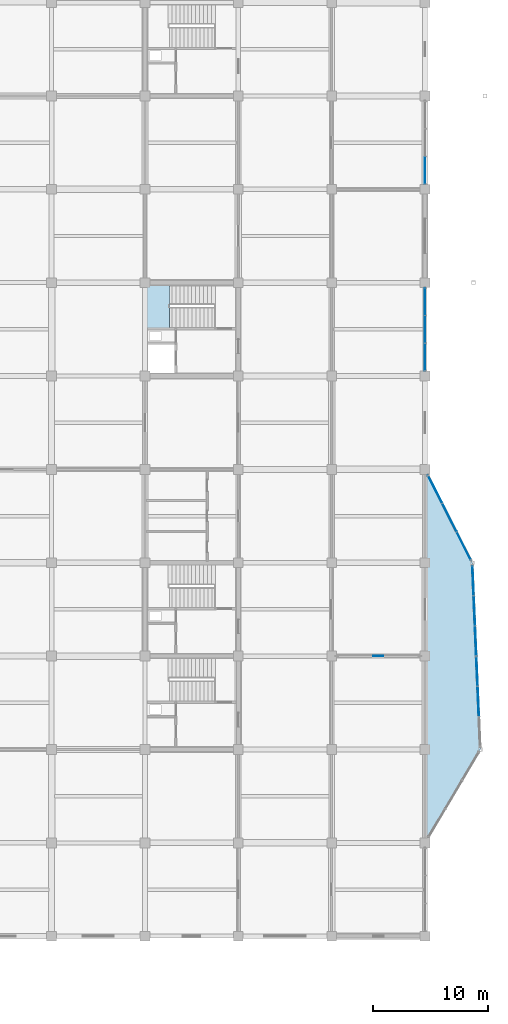
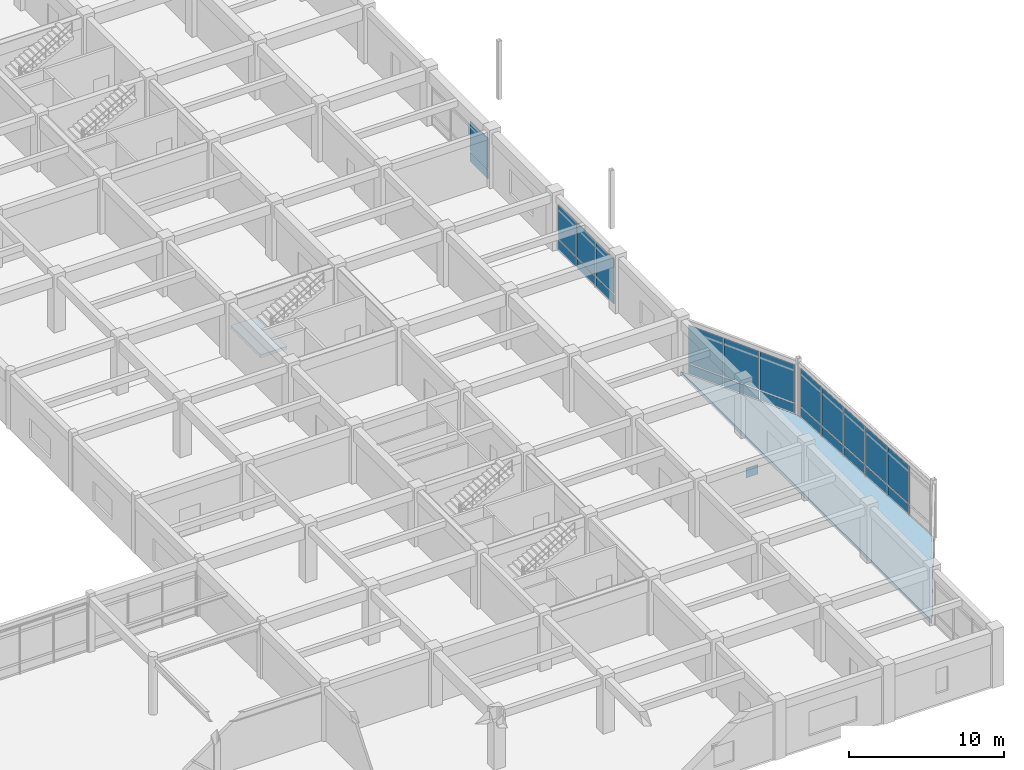
# One storey, part 55 of 93: 25 plates, 2 slabs, 6 elements without a shape of their own.
"""IFC4 building model written with IfcOpenShell, lengths in metres."""

from ifc_helpers import new_model, si_unit, direction, frame, origin, origin_2d, place, context, subcontext, project, spatial, polyline, rectangle, outline, extrude, material, layer, layer_set, type_object, element, aggregate, save


model = new_model("IFC4")

# Units and contexts
model_context = context("Model", 3, precision=1e-05, world=origin(), true_north=direction((0.0, 1.0)))
body_context = subcontext(model_context, "Body", "Model", "MODEL_VIEW")
ifc_project = project(units=[si_unit("LENGTHUNIT", "METRE"), si_unit("AREAUNIT", "SQUARE_METRE"), si_unit("VOLUMEUNIT", "CUBIC_METRE"), si_unit("PLANEANGLEUNIT", "RADIAN"), si_unit("MASSUNIT", "GRAM", prefix="KILO")], contexts=[model_context])

# Site, building, storey
site_placement = place(None, origin())
site = spatial("IfcSite", under=ifc_project, at=site_placement, CompositionType="ELEMENT")
building_placement = place(site_placement, origin())
building = spatial("IfcBuilding", under=site, at=building_placement, Name="Vaudrelin Polytechnic", CompositionType="ELEMENT")
storey_placement = place(building_placement, frame((0.0, 0.0, 5.10009765625)))
storey = spatial("IfcBuildingStorey", under=building, at=storey_placement, Name="L01", CompositionType="ELEMENT", Elevation=5.10009765625)

# Curtain wall, plates
ifc_material_1 = material(Name="Thermally broken anodised aluminium AA 6063-T6 and low-e triple glazing", Category="aluminium")
ifc_layer_1 = layer(ifc_material_1, 0.199951171875)
ifc_layer_set_1 = layer_set([ifc_layer_1], Name="Thermally broken anodised aluminium AA 6063-T6 and low-e triple glazing")
curtain_wall_type = type_object("IfcCurtainWallType", Name="CW-CW-LAB", PredefinedType="USERDEFINED", material=ifc_layer_set_1)
curtain_wall_1_placement = place(storey_placement, origin())
curtain_wall_1 = element("IfcCurtainWall", 1, at=curtain_wall_1_placement, inside=storey, type_object=curtain_wall_type, Name="Curtain wall L01 E_V4_06", ObjectType="CURTAIN WALL", PredefinedType="USERDEFINED")
ifc_material_2 = material(Name="Insulated ceramic-frit spandrel glass panel", Category="glass")
ifc_layer_2 = layer(ifc_material_2, 0.052001953125)
ifc_layer_set_2 = layer_set([ifc_layer_2], Name="Insulated ceramic-frit spandrel glass panel")
plate_type_1 = type_object("IfcPlateType", Name="PLT-GLZ-SPAND", PredefinedType="CURTAIN_PANEL", material=ifc_layer_set_2)
plate_1_placement = place(storey_placement, frame((170.10009765625, 66.431884765625, 0.08984375), z_axis=(0.0, 0.0, 1.0), x_axis=(0.0, 1.0, 0.0)))
plate_1 = element("IfcPlate", 2, at=plate_1_placement, type_object=plate_type_1, Name="E_V4_06 spandrel panel 1", PredefinedType="CURTAIN_PANEL", context=body_context, shape_type="SweptSolid", body=[
    extrude(rectangle(XDim=2.318115234375, YDim=0.052001953125, at=origin_2d()), origin(), (0.0, 0.0, 1.0), 0.699951171875),
])
plate_2_placement = place(storey_placement, frame((170.10009765625, 68.85009765625, 0.08984375), z_axis=(0.0, 0.0, 1.0), x_axis=(0.0, 1.0, 0.0)))
plate_2 = element("IfcPlate", 3, at=plate_2_placement, type_object=plate_type_1, Name="E_V4_06 spandrel panel 2", PredefinedType="CURTAIN_PANEL", context=body_context, shape_type="SweptSolid", body=[
    extrude(rectangle(XDim=2.318115234375, YDim=0.052001953125, at=origin_2d()), origin(), (0.0, 0.0, 1.0), 0.699951171875),
])
plate_3_placement = place(storey_placement, frame((170.10009765625, 71.26806640625, 0.08984375), z_axis=(0.0, 0.0, 1.0), x_axis=(0.0, 1.0, 0.0)))
plate_3 = element("IfcPlate", 4, at=plate_3_placement, type_object=plate_type_1, Name="E_V4_06 spandrel panel 3", PredefinedType="CURTAIN_PANEL", context=body_context, shape_type="SweptSolid", body=[
    extrude(rectangle(XDim=2.318115234375, YDim=0.052001953125, at=origin_2d()), origin(), (0.0, 0.0, 1.0), 0.699951171875),
])

# Curtain wall, plate
curtain_wall_2_placement = place(storey_placement, origin())
curtain_wall_2 = element("IfcCurtainWall", 5, at=curtain_wall_2_placement, inside=storey, type_object=curtain_wall_type, Name="Curtain wall L01 E_V4_08", ObjectType="CURTAIN WALL", PredefinedType="USERDEFINED")
plate_4_placement = place(storey_placement, frame((170.10009765625, 82.632080078125, 0.08984375), z_axis=(0.0, 0.0, 1.0), x_axis=(0.0, 1.0, 0.0)))
plate_4 = element("IfcPlate", 6, at=plate_4_placement, type_object=plate_type_1, Name="E_V4_08 spandrel panel 1", PredefinedType="CURTAIN_PANEL", context=body_context, shape_type="SweptSolid", body=[
    extrude(rectangle(XDim=2.318115234375, YDim=0.052001953125, at=origin_2d()), origin(), (0.0, 0.0, 1.0), 0.699951171875),
])

# Curtain wall, plates
curtain_wall_3_placement = place(storey_placement, origin())
curtain_wall_3 = element("IfcCurtainWall", 7, at=curtain_wall_3_placement, inside=storey, type_object=curtain_wall_type, Name="Curtain wall L01 E_OR1_2_0", ObjectType="CURTAIN WALL", PredefinedType="USERDEFINED")
plate_5_placement = place(storey_placement, frame((174.719970703125, 36.568603515625, 0.08984375), z_axis=(0.0, 0.0, 1.0), x_axis=(-0.043164270821, 0.99906798854, 0.0)))
plate_5 = element("IfcPlate", 8, at=plate_5_placement, type_object=plate_type_1, Name="E_OR1_2_0 spandrel panel 2", PredefinedType="CURTAIN_PANEL", context=body_context, shape_type="SweptSolid", body=[
    extrude(rectangle(XDim=2.523193359375, YDim=0.052001953125, at=origin_2d()), origin(), (0.0, 0.0, 1.0), 0.699951171875),
])
plate_6_placement = place(storey_placement, frame((174.606689453125, 39.189697265625, 0.08984375), z_axis=(0.0, 0.0, 1.0), x_axis=(-0.043164270821, 0.99906798854, 0.0)))
plate_6 = element("IfcPlate", 9, at=plate_6_placement, type_object=plate_type_1, Name="E_OR1_2_0 spandrel panel 3", PredefinedType="CURTAIN_PANEL", context=body_context, shape_type="SweptSolid", body=[
    extrude(rectangle(XDim=2.523193359375, YDim=0.052001953125, at=origin_2d()), origin(), (0.0, 0.0, 1.0), 0.699951171875),
])

curtain_wall_4_placement = place(storey_placement, origin())
curtain_wall_4 = element("IfcCurtainWall", 10, at=curtain_wall_4_placement, inside=storey, type_object=curtain_wall_type, Name="Curtain wall L01 E_OR1_2_1", ObjectType="CURTAIN WALL", PredefinedType="USERDEFINED")
plate_7_placement = place(storey_placement, frame((174.493408203125, 41.810302734375, 0.08984375), z_axis=(0.0, 0.0, 1.0), x_axis=(-0.043164270821, 0.99906798854, 0.0)))
plate_7 = element("IfcPlate", 11, at=plate_7_placement, type_object=plate_type_1, Name="E_OR1_2_1 spandrel panel 1", PredefinedType="CURTAIN_PANEL", context=body_context, shape_type="SweptSolid", body=[
    extrude(rectangle(XDim=2.523193359375, YDim=0.052001953125, at=origin_2d()), origin(), (0.0, 0.0, 1.0), 0.699951171875),
])
plate_8_placement = place(storey_placement, frame((174.380126953125, 44.431396484375, 0.08984375), z_axis=(0.0, 0.0, 1.0), x_axis=(-0.043164270821, 0.99906798854, 0.0)))
plate_8 = element("IfcPlate", 12, at=plate_8_placement, type_object=plate_type_1, Name="E_OR1_2_1 spandrel panel 2", PredefinedType="CURTAIN_PANEL", context=body_context, shape_type="SweptSolid", body=[
    extrude(rectangle(XDim=2.523193359375, YDim=0.052001953125, at=origin_2d()), origin(), (0.0, 0.0, 1.0), 0.699951171875),
])
plate_9_placement = place(storey_placement, frame((174.266845703125, 47.05224609375, 0.08984375), z_axis=(0.0, 0.0, 1.0), x_axis=(-0.043164270821, 0.99906798854, 0.0)))
plate_9 = element("IfcPlate", 13, at=plate_9_placement, type_object=plate_type_1, Name="E_OR1_2_1 spandrel panel 3", PredefinedType="CURTAIN_PANEL", context=body_context, shape_type="SweptSolid", body=[
    extrude(rectangle(XDim=2.523193359375, YDim=0.052001953125, at=origin_2d()), origin(), (0.0, 0.0, 1.0), 0.699951171875),
])

curtain_wall_5_placement = place(storey_placement, origin())
curtain_wall_5 = element("IfcCurtainWall", 14, at=curtain_wall_5_placement, inside=storey, type_object=curtain_wall_type, Name="Curtain wall L01 E_OR1_3_0", ObjectType="CURTAIN WALL", PredefinedType="USERDEFINED")
plate_10_placement = place(storey_placement, frame((173.462646484375, 50.056884765625, 0.08984375), z_axis=(0.0, 0.0, 1.0), x_axis=(-0.451609402839, 0.892215751524, 0.0)))
plate_10 = element("IfcPlate", 15, at=plate_10_placement, type_object=plate_type_1, Name="E_OR1_3_0 spandrel panel 1", PredefinedType="CURTAIN_PANEL", context=body_context, shape_type="SweptSolid", body=[
    extrude(rectangle(XDim=2.65380859375, YDim=0.052001953125, at=origin_2d()), origin(), (0.0, 0.0, 1.0), 0.699951171875),
])
plate_11_placement = place(storey_placement, frame((172.218994140625, 52.513916015625, 0.08984375), z_axis=(0.0, 0.0, 1.0), x_axis=(-0.451609402839, 0.892215751524, 0.0)))
plate_11 = element("IfcPlate", 16, at=plate_11_placement, type_object=plate_type_1, Name="E_OR1_3_0 spandrel panel 2", PredefinedType="CURTAIN_PANEL", context=body_context, shape_type="SweptSolid", body=[
    extrude(rectangle(XDim=2.65380859375, YDim=0.052001953125, at=origin_2d()), origin(), (0.0, 0.0, 1.0), 0.699951171875),
])
plate_12_placement = place(storey_placement, frame((170.975341796875, 54.970703125, 0.08984375), z_axis=(0.0, 0.0, 1.0), x_axis=(-0.451609402839, 0.892215751524, 0.0)))
plate_12 = element("IfcPlate", 17, at=plate_12_placement, type_object=plate_type_1, Name="E_OR1_3_0 spandrel panel 3", PredefinedType="CURTAIN_PANEL", context=body_context, shape_type="SweptSolid", body=[
    extrude(rectangle(XDim=2.65380859375, YDim=0.052001953125, at=origin_2d()), origin(), (0.0, 0.0, 1.0), 0.699951171875),
])

# Plate
ifc_material_3 = material(Name="Triple low-e argon insulated glazing unit", Category="glass")
ifc_layer_3 = layer(ifc_material_3, 0.0439453125)
ifc_layer_set_3 = layer_set([ifc_layer_3], Name="Triple low-e argon insulated glazing unit")
plate_type_2 = type_object("IfcPlateType", Name="PLT-GLZ-TRIPLE", PredefinedType="CURTAIN_PANEL", material=ifc_layer_set_3)
plate_13_placement = place(storey_placement, frame((170.10009765625, 66.431884765625, 0.89990234375), z_axis=(0.0, 0.0, 1.0), x_axis=(0.0, 1.0, 0.0)))
plate_13 = element("IfcPlate", 18, at=plate_13_placement, type_object=plate_type_2, Name="E_V4_06 vision panel 1", PredefinedType="CURTAIN_PANEL", context=body_context, shape_type="SweptSolid", body=[
    extrude(rectangle(XDim=2.318115234375, YDim=0.0439453125, at=origin_2d()), origin(), (0.0, 0.0, 1.0), 2.7119140625),
])

plate_14_placement = place(storey_placement, frame((170.10009765625, 68.85009765625, 0.89990234375), z_axis=(0.0, 0.0, 1.0), x_axis=(0.0, 1.0, 0.0)))
plate_14 = element("IfcPlate", 19, at=plate_14_placement, type_object=plate_type_2, Name="E_V4_06 vision panel 2", PredefinedType="CURTAIN_PANEL", context=body_context, shape_type="SweptSolid", body=[
    extrude(rectangle(XDim=2.318115234375, YDim=0.0439453125, at=origin_2d()), origin(), (0.0, 0.0, 1.0), 2.7119140625),
])

plate_15_placement = place(storey_placement, frame((170.10009765625, 71.26806640625, 0.89990234375), z_axis=(0.0, 0.0, 1.0), x_axis=(0.0, 1.0, 0.0)))
plate_15 = element("IfcPlate", 20, at=plate_15_placement, type_object=plate_type_2, Name="E_V4_06 vision panel 3", PredefinedType="CURTAIN_PANEL", context=body_context, shape_type="SweptSolid", body=[
    extrude(rectangle(XDim=2.318115234375, YDim=0.0439453125, at=origin_2d()), origin(), (0.0, 0.0, 1.0), 2.7119140625),
])

aggregate(curtain_wall_1, [plate_1, plate_13, plate_2, plate_14, plate_3, plate_15])

plate_16_placement = place(storey_placement, frame((170.10009765625, 82.632080078125, 0.89990234375), z_axis=(0.0, 0.0, 1.0), x_axis=(0.0, 1.0, 0.0)))
plate_16 = element("IfcPlate", 21, at=plate_16_placement, type_object=plate_type_2, Name="E_V4_08 vision panel 1", PredefinedType="CURTAIN_PANEL", context=body_context, shape_type="SweptSolid", body=[
    extrude(rectangle(XDim=2.318115234375, YDim=0.0439453125, at=origin_2d()), origin(), (0.0, 0.0, 1.0), 2.362060546875),
])

aggregate(curtain_wall_2, [plate_4, plate_16])

plate_17_placement = place(storey_placement, frame((174.719970703125, 36.568603515625, 0.89990234375), z_axis=(0.0, 0.0, 1.0), x_axis=(-0.043164270821, 0.99906798854, 0.0)))
plate_17 = element("IfcPlate", 22, at=plate_17_placement, type_object=plate_type_2, Name="E_OR1_2_0 vision panel 2", PredefinedType="CURTAIN_PANEL", context=body_context, shape_type="SweptSolid", body=[
    extrude(rectangle(XDim=2.523193359375, YDim=0.0439453125, at=origin_2d()), origin(), (0.0, 0.0, 1.0), 2.97998046875),
])

plate_18_placement = place(storey_placement, frame((174.606689453125, 39.189697265625, 0.89990234375), z_axis=(0.0, 0.0, 1.0), x_axis=(-0.043164270821, 0.99906798854, 0.0)))
plate_18 = element("IfcPlate", 23, at=plate_18_placement, type_object=plate_type_2, Name="E_OR1_2_0 vision panel 3", PredefinedType="CURTAIN_PANEL", context=body_context, shape_type="SweptSolid", body=[
    extrude(rectangle(XDim=2.523193359375, YDim=0.0439453125, at=origin_2d()), origin(), (0.0, 0.0, 1.0), 2.97998046875),
])

aggregate(curtain_wall_3, [plate_5, plate_17, plate_6, plate_18])

plate_19_placement = place(storey_placement, frame((174.493408203125, 41.810302734375, 0.89990234375), z_axis=(0.0, 0.0, 1.0), x_axis=(-0.043164270821, 0.99906798854, 0.0)))
plate_19 = element("IfcPlate", 24, at=plate_19_placement, type_object=plate_type_2, Name="E_OR1_2_1 vision panel 1", PredefinedType="CURTAIN_PANEL", context=body_context, shape_type="SweptSolid", body=[
    extrude(rectangle(XDim=2.523193359375, YDim=0.0439453125, at=origin_2d()), origin(), (0.0, 0.0, 1.0), 2.97998046875),
])

plate_20_placement = place(storey_placement, frame((174.380126953125, 44.431396484375, 0.89990234375), z_axis=(0.0, 0.0, 1.0), x_axis=(-0.043164270821, 0.99906798854, 0.0)))
plate_20 = element("IfcPlate", 25, at=plate_20_placement, type_object=plate_type_2, Name="E_OR1_2_1 vision panel 2", PredefinedType="CURTAIN_PANEL", context=body_context, shape_type="SweptSolid", body=[
    extrude(rectangle(XDim=2.523193359375, YDim=0.0439453125, at=origin_2d()), origin(), (0.0, 0.0, 1.0), 2.97998046875),
])

plate_21_placement = place(storey_placement, frame((174.266845703125, 47.05224609375, 0.89990234375), z_axis=(0.0, 0.0, 1.0), x_axis=(-0.043164270821, 0.99906798854, 0.0)))
plate_21 = element("IfcPlate", 26, at=plate_21_placement, type_object=plate_type_2, Name="E_OR1_2_1 vision panel 3", PredefinedType="CURTAIN_PANEL", context=body_context, shape_type="SweptSolid", body=[
    extrude(rectangle(XDim=2.523193359375, YDim=0.0439453125, at=origin_2d()), origin(), (0.0, 0.0, 1.0), 2.97998046875),
])

aggregate(curtain_wall_4, [plate_7, plate_19, plate_8, plate_20, plate_9, plate_21])

plate_22_placement = place(storey_placement, frame((173.462646484375, 50.056884765625, 0.89990234375), z_axis=(0.0, 0.0, 1.0), x_axis=(-0.451609402839, 0.892215751524, 0.0)))
plate_22 = element("IfcPlate", 27, at=plate_22_placement, type_object=plate_type_2, Name="E_OR1_3_0 vision panel 1", PredefinedType="CURTAIN_PANEL", context=body_context, shape_type="SweptSolid", body=[
    extrude(rectangle(XDim=2.65380859375, YDim=0.0439453125, at=origin_2d()), origin(), (0.0, 0.0, 1.0), 2.97998046875),
])

plate_23_placement = place(storey_placement, frame((172.218994140625, 52.513916015625, 0.89990234375), z_axis=(0.0, 0.0, 1.0), x_axis=(-0.451609402839, 0.892215751524, 0.0)))
plate_23 = element("IfcPlate", 28, at=plate_23_placement, type_object=plate_type_2, Name="E_OR1_3_0 vision panel 2", PredefinedType="CURTAIN_PANEL", context=body_context, shape_type="SweptSolid", body=[
    extrude(rectangle(XDim=2.65380859375, YDim=0.0439453125, at=origin_2d()), origin(), (0.0, 0.0, 1.0), 2.97998046875),
])

plate_24_placement = place(storey_placement, frame((170.975341796875, 54.970703125, 0.89990234375), z_axis=(0.0, 0.0, 1.0), x_axis=(-0.451609402839, 0.892215751524, 0.0)))
plate_24 = element("IfcPlate", 29, at=plate_24_placement, type_object=plate_type_2, Name="E_OR1_3_0 vision panel 3", PredefinedType="CURTAIN_PANEL", context=body_context, shape_type="SweptSolid", body=[
    extrude(rectangle(XDim=2.65380859375, YDim=0.0439453125, at=origin_2d()), origin(), (0.0, 0.0, 1.0), 2.97998046875),
])

aggregate(curtain_wall_5, [plate_10, plate_22, plate_11, plate_23, plate_12, plate_24])

ifc_material_4 = material(Name="Steel CSA G40.21 350WT", Category="steel")
ifc_layer_4 = layer(ifc_material_4, 0.030029296875)
ifc_layer_set_4 = layer_set([ifc_layer_4], Name="Steel CSA G40.21 350WT")
plate_type_3 = type_object("IfcPlateType", Name="PLT-GP-12", PredefinedType="USERDEFINED", material=ifc_layer_set_4)
plate_25_placement = place(storey_placement, frame((166.050048828125, 40.5, 3.009765625), z_axis=(0.0, 0.0, 1.0), x_axis=(1.0, 0.0, 0.0)))
element("IfcPlate", 30, at=plate_25_placement, inside=storey, type_object=plate_type_3, Name="Braced-frame apex gusset plate GP-BF11", ObjectType="GUSSET PLATE", PredefinedType="USERDEFINED", context=body_context, shape_type="SweptSolid", body=[
    extrude(rectangle(XDim=0.8798828125, YDim=0.030029296875, at=origin_2d()), origin(), (0.0, 0.0, 1.0), 0.739990234375),
])

# Stair, slab
ifc_material_5 = material(Name="Concrete 35 MPa", Category="concrete")
stair_type = type_object("IfcStairType", Name="STR-ST-CORE", PredefinedType="TWO_STRAIGHT_RUN_STAIR", material=ifc_material_5)
stair_placement = place(storey_placement, origin())
stair = element("IfcStair", 31, at=stair_placement, inside=storey, type_object=stair_type, Name="Exit stair ST-07-L01", PredefinedType="TWO_STRAIGHT_RUN_STAIR")
ifc_layer_5 = layer(ifc_material_5, 0.219970703125)
ifc_layer_set_5 = layer_set([ifc_layer_5], Name="Concrete 35 MPa")
slab_type_1 = type_object("IfcSlabType", Name="SLB-LND220", PredefinedType="LANDING", material=ifc_layer_set_5)
slab_1_placement = place(storey_placement, frame((0.0, 0.0, 2.074951171875)))
slab_1 = element("IfcSlab", 32, at=slab_1_placement, type_object=slab_type_1, Name="ST-07-L01 landing 1", PredefinedType="LANDING", context=body_context, shape_type="SweptSolid", body=[
    extrude(outline(polyline([(145.93994140625, 68.9599609375), (147.909912109375, 68.9599609375), (147.909912109375, 72.800048828125), (145.93994140625, 72.800048828125), (145.93994140625, 68.9599609375)])), origin(), (0.0, 0.0, 1.0), 0.219970703125),
])
aggregate(stair, [slab_1])

# Slab
ifc_layer_6 = layer(ifc_material_5, 0.280029296875)
ifc_layer_set_6 = layer_set([ifc_layer_6], Name="Concrete 35 MPa")
slab_type_2 = type_object("IfcSlabType", Name="SLB-SL-F280", PredefinedType="FLOOR", material=ifc_layer_set_6)
slab_2_placement = place(storey_placement, frame((0.0, 0.0, -0.280029296875)))
element("IfcSlab", 33, at=slab_2_placement, inside=storey, type_object=slab_type_2, Name="Deconstructivist splayed wing pod E_OR1 L01", PredefinedType="FLOOR", context=body_context, shape_type="SweptSolid", body=[
    extrude(outline(polyline([(170.10009765625, 24.300048828125), (174.89990234375, 32.39990234375), (174.199951171875, 48.60009765625), (170.10009765625, 56.699951171875), (170.10009765625, 24.300048828125)])), origin(), (0.0, 0.0, 1.0), 0.280029296875),
])

save(model, "model.ifc")
